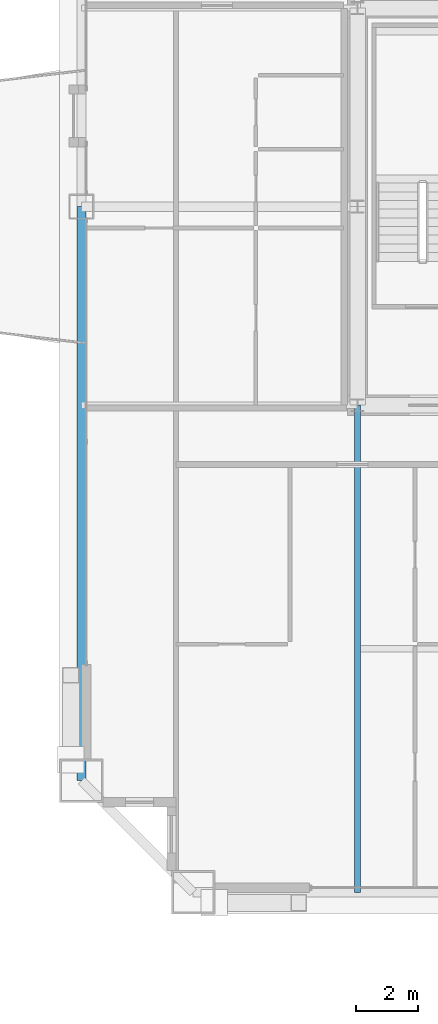
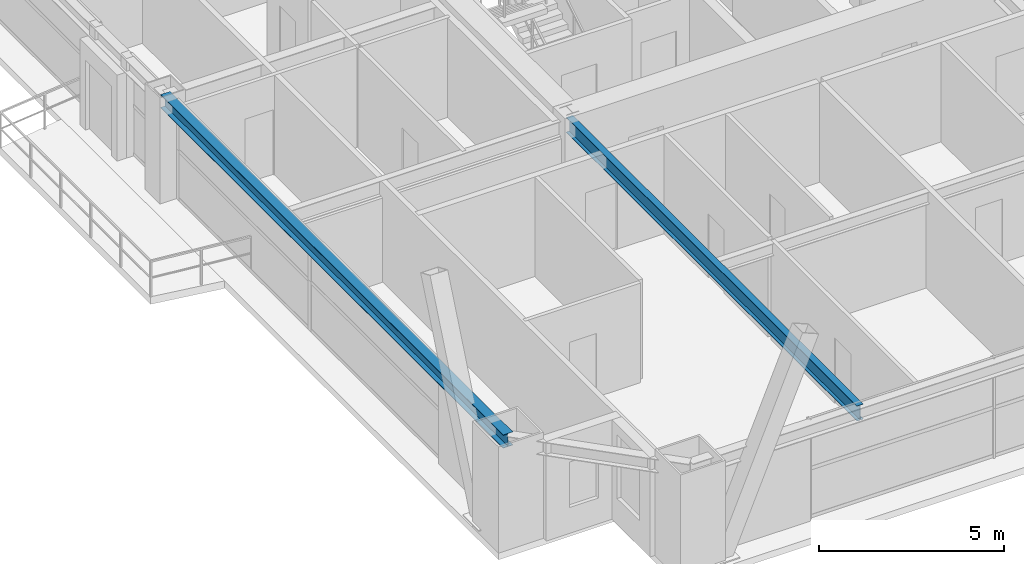
# One storey, part 8 of 42: 2 beams.
"""IFC4 building model written with IfcOpenShell, lengths in metres."""

from ifc_helpers import new_model, si_unit, direction, frame, origin, origin_2d, place, context, subcontext, project, spatial, i_section, extrude, source, transform, mapped, material, material_profile, profile_set, type_object, element, save


model = new_model("IFC4")

# Units and contexts
model_context = context("Model", 3, precision=1e-05, world=origin(), true_north=direction((0.0, 1.0)))
body_context = subcontext(model_context, "Body", "Model", "MODEL_VIEW")
ifc_project = project(units=[si_unit("LENGTHUNIT", "METRE"), si_unit("AREAUNIT", "SQUARE_METRE"), si_unit("VOLUMEUNIT", "CUBIC_METRE"), si_unit("PLANEANGLEUNIT", "RADIAN"), si_unit("MASSUNIT", "GRAM", prefix="KILO"), si_unit("THERMODYNAMICTEMPERATUREUNIT", "KELVIN"), si_unit("POWERUNIT", "WATT")], contexts=[model_context])

# Site, building, storey
site_placement = place(None, origin())
site = spatial("IfcSite", under=ifc_project, at=site_placement, CompositionType="ELEMENT")
building_placement = place(site_placement, origin())
building = spatial("IfcBuilding", under=site, at=building_placement, Name="Yuzanri Waterfront Tower", CompositionType="ELEMENT")
storey_placement = place(building_placement, frame((0.0, 0.0, 205.5)))
storey = spatial("IfcBuildingStorey", under=building, at=storey_placement, Name="L54", CompositionType="ELEMENT", Elevation=205.5)

# Beams
ifc_material_1 = material(Name="Steel Q355B", Category="steel")
ifc_material_profile_1 = material_profile(ifc_material_1, i_section(OverallWidth=0.300048828125, OverallDepth=0.43994140625, WebThickness=0.010986328125, FlangeThickness=0.01806640625, at=origin_2d()), Name="HM 440x300x11x18")
ifc_profile_set_1 = profile_set([ifc_material_profile_1], Name="Steel Q355B")
beam_type_1 = type_object("IfcBeamType", Name="Perimeter Spandrel Q355B HM 440x300", PredefinedType="SPANDREL", material=ifc_profile_set_1)
shared_shape_1 = source(origin(), body_context, "Body", "SweptSolid", [
    extrude(i_section(OverallWidth=0.300048828125, OverallDepth=0.43994140625, WebThickness=0.010986328125, FlangeThickness=0.01806640625, at=origin_2d()), origin(), (0.0, 0.0, 1.0), 18.5),
])
beam_1_placement = place(storey_placement, frame((14.89990234375, 25.800048828125, 3.06005859375), z_axis=(0.0, -1.0, 0.0), x_axis=(1.0, 0.0, 0.0)))
element("IfcBeam", 1, at=beam_1_placement, inside=storey, type_object=beam_type_1, Name="L54 Perimeter Spandrel W2-W1", PredefinedType="SPANDREL", context=body_context, shape_type="MappedRepresentation", body=[
    mapped(shared_shape_1, transform((0.0, 0.0, 0.0), scale=1.0)),
])
ifc_material_2 = material(Name="Steel Q355B", Category="steel")
ifc_material_profile_2 = material_profile(ifc_material_2, i_section(OverallWidth=0.199951171875, OverallDepth=0.5, WebThickness=0.010009765625, FlangeThickness=0.01611328125, at=origin_2d()), Name="HN 500x200x10x16")
ifc_profile_set_2 = profile_set([ifc_material_profile_2], Name="Steel Q355B")
beam_type_2 = type_object("IfcBeamType", Name="Secondary Floor Beam Q355B HN 500x200", PredefinedType="BEAM", material=ifc_profile_set_2)
shared_shape_2 = source(origin(), body_context, "Body", "SweptSolid", [
    extrude(i_section(OverallWidth=0.199951171875, OverallDepth=0.5, WebThickness=0.010009765625, FlangeThickness=0.01611328125, at=origin_2d()), origin(), (0.0, 0.0, 1.0), 15.699951171875),
])
beam_2_placement = place(storey_placement, frame((23.800048828125, 19.39990234375, 3.030029296875), z_axis=(0.0, -1.0, 0.0), x_axis=(1.0, 0.0, 0.0)))
element("IfcBeam", 2, at=beam_2_placement, inside=storey, type_object=beam_type_2, Name="L54 South-West Core Line Beam", PredefinedType="BEAM", context=body_context, shape_type="MappedRepresentation", body=[
    mapped(shared_shape_2, transform((0.0, 0.0, 0.0), scale=1.0)),
])

save(model, "model.ifc")
